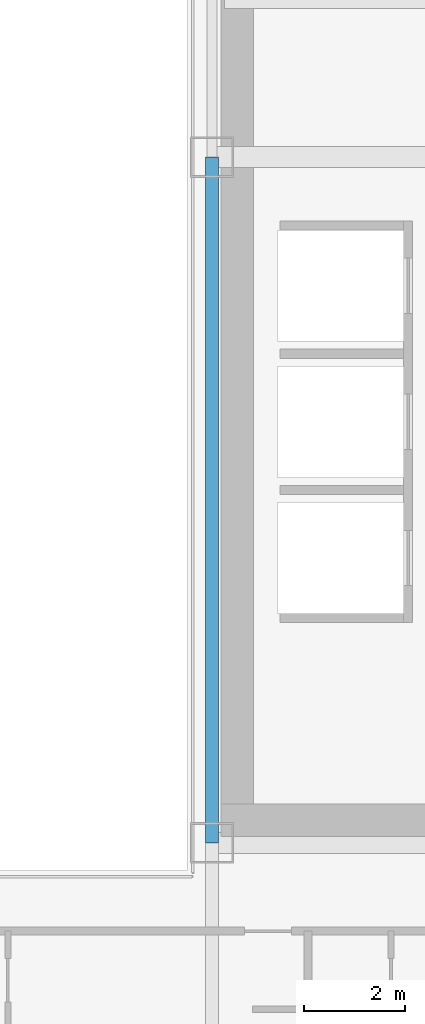
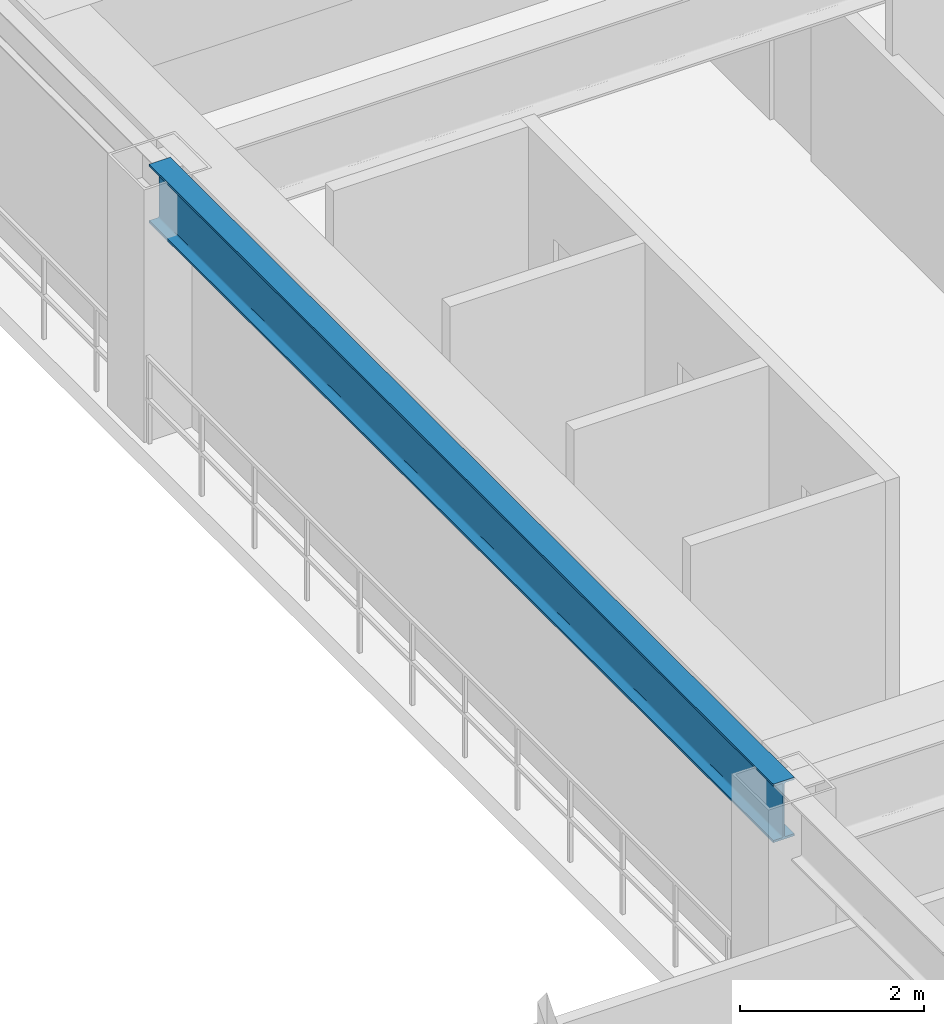
# One storey, part 12 of 35: 1 beam.
"""IFC4 building model written with IfcOpenShell, lengths in metres."""

from ifc_helpers import new_model, si_unit, direction, frame, origin, origin_2d, place, context, subcontext, project, spatial, i_section, extrude, source, transform, mapped, material, material_profile, profile_set, type_object, element, save


model = new_model("IFC4")

# Units and contexts
model_context = context("Model", 3, precision=1e-05, world=origin(), true_north=direction((0.0, 1.0)))
body_context = subcontext(model_context, "Body", "Model", "MODEL_VIEW")
ifc_project = project(units=[si_unit("LENGTHUNIT", "METRE"), si_unit("AREAUNIT", "SQUARE_METRE"), si_unit("VOLUMEUNIT", "CUBIC_METRE"), si_unit("PLANEANGLEUNIT", "RADIAN"), si_unit("MASSUNIT", "GRAM", prefix="KILO")], contexts=[model_context])

# Site, building, storey
site_placement = place(None, origin())
site = spatial("IfcSite", under=ifc_project, at=site_placement, CompositionType="ELEMENT")
building_placement = place(site_placement, origin())
building = spatial("IfcBuilding", under=site, at=building_placement, Name="Ocotamira Hotel", CompositionType="ELEMENT")
storey_placement = place(building_placement, frame((0.0, 0.0, 140.39990234375)))
storey = spatial("IfcBuildingStorey", under=building, at=storey_placement, Name="L35", CompositionType="ELEMENT", Elevation=140.39990234375)

# Beam
ifc_material = material(Name="Steel ASTM A992 Grade 50", Category="steel")
ifc_material_profile = material_profile(ifc_material, i_section(OverallWidth=0.26611328125, OverallDepth=0.779052734375, WebThickness=0.0166015625, FlangeThickness=0.030029296875, FilletRadius=0.01806640625, at=origin_2d()), Name="W30X148")
ifc_profile_set = profile_set([ifc_material_profile], Name="Steel ASTM A992 Grade 50")
beam_type = type_object("IfcBeamType", Name="BM-GIRD-W30X148", PredefinedType="BEAM", material=ifc_profile_set)
shared_shape = source(origin(), body_context, "Body", "SweptSolid", [
    extrude(i_section(OverallWidth=0.26611328125, OverallDepth=0.779052734375, WebThickness=0.0166015625, FlangeThickness=0.030029296875, FilletRadius=0.01806640625, at=origin_2d()), origin(), (0.0, 0.0, 1.0), 13.599853515625),
])
beam_placement = place(storey_placement, frame((40.5, 14.550048828125, 2.970703125), z_axis=(0.0, 1.0, 0.0), x_axis=(-1.0, 0.0, 0.0)))
element("IfcBeam", 1, at=beam_placement, inside=storey, type_object=beam_type, Name="L35 Beam X40.5 Y14.55-28.15", PredefinedType="BEAM", context=body_context, shape_type="MappedRepresentation", body=[
    mapped(shared_shape, transform((0.0, 0.0, 0.0), scale=1.0)),
])

save(model, "model.ifc")
